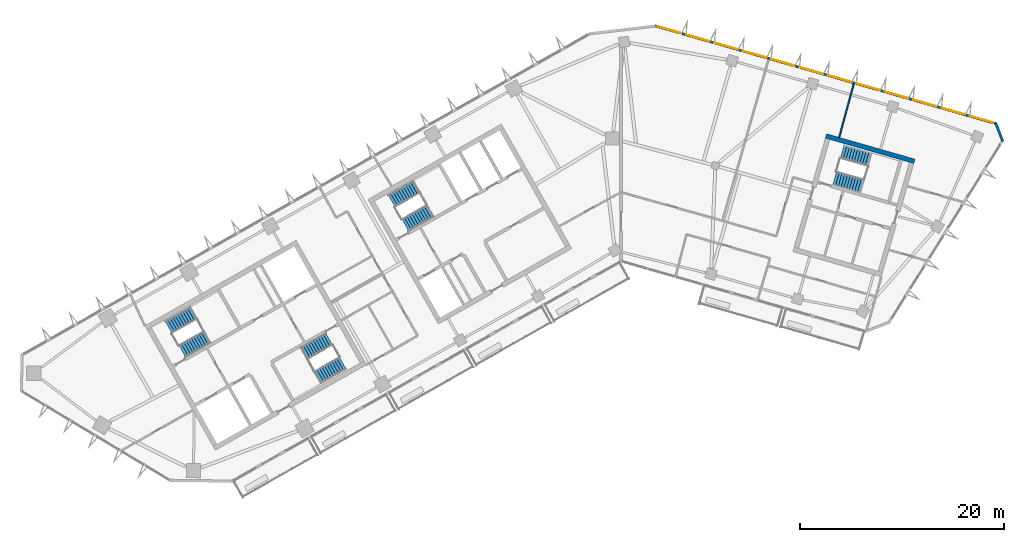
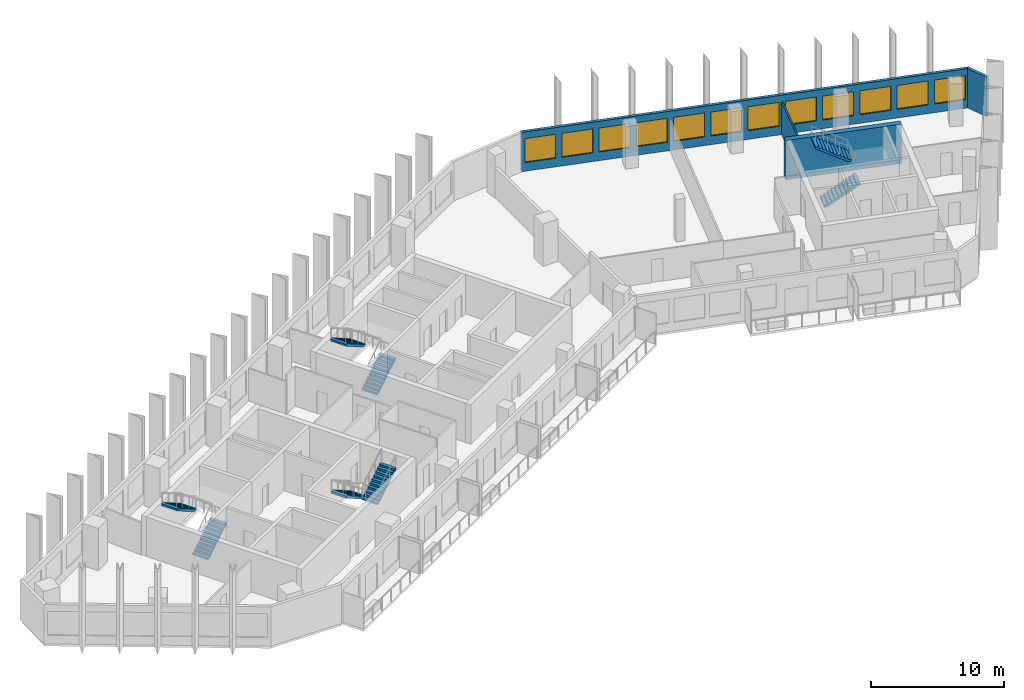
# One storey, part 8 of 11: 12 windows, 8 stair flights, 4 walls, 12 openings, 4 elements without a shape of their own.
"""IFC4 building model written with IfcOpenShell, lengths in metres."""

from ifc_helpers import new_model, si_unit, direction, frame, frame_2d, origin, place, context, subcontext, project, spatial, polyline, rectangle, outline, extrude, material, layer, layer_set, type_object, element, fill, aggregate, save


model = new_model("IFC4")

# Units and contexts
model_context = context("Model", 3, precision=1e-05, world=origin(), true_north=direction((0.0, 1.0)))
body_context = subcontext(model_context, "Body", "Model", "MODEL_VIEW")
ifc_project = project(units=[si_unit("LENGTHUNIT", "METRE"), si_unit("AREAUNIT", "SQUARE_METRE"), si_unit("VOLUMEUNIT", "CUBIC_METRE"), si_unit("PLANEANGLEUNIT", "RADIAN"), si_unit("MASSUNIT", "GRAM", prefix="KILO")], contexts=[model_context])

# Site, building, storey
site_placement = place(None, origin())
site = spatial("IfcSite", under=ifc_project, at=site_placement, CompositionType="ELEMENT")
building_placement = place(site_placement, origin())
building = spatial("IfcBuilding", under=site, at=building_placement, Name="Binnacle Exchange Tower", CompositionType="ELEMENT")
storey_placement = place(building_placement, frame((0.0, 0.0, 207.5)))
storey = spatial("IfcBuildingStorey", under=building, at=storey_placement, Name="L45", CompositionType="ELEMENT", Elevation=207.5)

# Walls
ifc_material_1 = material(Name="Concrete C70/85", Category="concrete")
ifc_layer_1 = layer(ifc_material_1, 0.449951171875)
ifc_layer_set_1 = layer_set([ifc_layer_1], Name="Core wall - outer 450")
wall_type_1 = type_object("IfcWallType", Name="Core wall - outer 450", PredefinedType="SOLIDWALL", material=ifc_layer_set_1)
wall_1_placement = place(storey_placement, frame((20.073486328125, 60.251708984375, 0.0), z_axis=(0.0, 0.0, 1.0), x_axis=(0.96126248289, -0.275634611374, 0.0)))
element("IfcWall", 1, at=wall_1_placement, inside=storey, type_object=wall_type_1, Name="Core wall CRWD6", PredefinedType="SOLIDWALL", context=body_context, shape_type="SweptSolid", body=[
    extrude(rectangle(XDim=9.0, YDim=0.449951171875, at=frame_2d((4.5, 0.0))), origin(), (0.0, 0.0, 1.0), 3.6201171875),
])
ifc_material_2 = material(Name="Bronze aluminium cladding", Category="aluminium")
ifc_layer_2 = layer(ifc_material_2, 0.25)
ifc_layer_set_2 = layer_set([ifc_layer_2], Name="External wall - window wall 250")
wall_type_2 = type_object("IfcWallType", Name="External wall - window wall 250", PredefinedType="STANDARD", material=ifc_layer_set_2)
wall_2_placement = place(storey_placement, frame((36.68994140625, 61.531005859375, 0.0), z_axis=(0.0, 0.0, 1.0), x_axis=(0.358377147136, -0.933576895821, 0.0)))
element("IfcWall", 2, at=wall_2_placement, inside=storey, type_object=wall_type_2, Name="External wall EW-G05 L45", PredefinedType="STANDARD", context=body_context, shape_type="SweptSolid", body=[
    extrude(rectangle(XDim=1.929931640625, YDim=0.25, at=frame_2d((0.96484375, 0.0))), origin(), (0.0, 0.0, 1.0), 3.6201171875),
])

# Wall, openings, windows
wall_3_placement = place(storey_placement, frame((3.34033203125, 71.042236328125, 0.0), z_axis=(0.0, 0.0, 1.0), x_axis=(0.96126179431, -0.275637012753, 0.0)))
wall_3 = element("IfcWall", 3, at=wall_3_placement, inside=storey, type_object=wall_type_2, Name="External wall EW-G06 L45", PredefinedType="STANDARD", context=body_context, shape_type="SweptSolid", body=[
    extrude(rectangle(XDim=34.779052734375, YDim=0.25, at=frame_2d((17.3896484375, 0.0))), origin(), (0.0, 0.0, 1.0), 3.6201171875),
])
opening_1_placement = place(wall_3_placement, frame((32.0712890625, 0.0, 0.800048828125)))
opening_1 = element("IfcOpeningElement", 4, at=opening_1_placement, cuts=wall_3, Name="Opening WR1", PredefinedType="OPENING", context=body_context, shape_type="SweptSolid", body=[
    extrude(rectangle(XDim=2.39990234375, YDim=2.199951171875, at=frame_2d((1.199951171875, 1.10009765625))), frame((0.0, 0.135009765625, 0.0), z_axis=(0.0, -1.0, 0.0), x_axis=(1.0, 0.0, 0.0)), (0.0, 0.0, 1.0), 0.27001953125),
])
opening_2_placement = place(wall_3_placement, frame((29.180419921875, 0.0, 0.800048828125)))
opening_2 = element("IfcOpeningElement", 5, at=opening_2_placement, cuts=wall_3, Name="Opening WR1", PredefinedType="OPENING", context=body_context, shape_type="SweptSolid", body=[
    extrude(rectangle(XDim=2.39990234375, YDim=2.199951171875, at=frame_2d((1.199951171875, 1.10009765625))), frame((0.0, 0.135009765625, 0.0), z_axis=(0.0, -1.0, 0.0), x_axis=(1.0, 0.0, 0.0)), (0.0, 0.0, 1.0), 0.27001953125),
])
opening_3_placement = place(wall_3_placement, frame((26.289306640625, 0.0, 0.800048828125)))
opening_3 = element("IfcOpeningElement", 6, at=opening_3_placement, cuts=wall_3, Name="Opening WR1", PredefinedType="OPENING", context=body_context, shape_type="SweptSolid", body=[
    extrude(rectangle(XDim=2.39990234375, YDim=2.199951171875, at=frame_2d((1.199951171875, 1.10009765625))), frame((0.0, 0.135009765625, 0.0), z_axis=(0.0, -1.0, 0.0), x_axis=(1.0, 0.0, 0.0)), (0.0, 0.0, 1.0), 0.27001953125),
])
opening_4_placement = place(wall_3_placement, frame((23.3984375, 0.0, 0.800048828125)))
opening_4 = element("IfcOpeningElement", 7, at=opening_4_placement, cuts=wall_3, Name="Opening WR1", PredefinedType="OPENING", context=body_context, shape_type="SweptSolid", body=[
    extrude(rectangle(XDim=2.39990234375, YDim=2.199951171875, at=frame_2d((1.199951171875, 1.10009765625))), frame((0.0, 0.135009765625, 0.0), z_axis=(0.0, -1.0, 0.0), x_axis=(1.0, 0.0, 0.0)), (0.0, 0.0, 1.0), 0.27001953125),
])
opening_5_placement = place(wall_3_placement, frame((20.507568359375, 0.0, 0.800048828125)))
opening_5 = element("IfcOpeningElement", 8, at=opening_5_placement, cuts=wall_3, Name="Opening WR1", PredefinedType="OPENING", context=body_context, shape_type="SweptSolid", body=[
    extrude(rectangle(XDim=2.39990234375, YDim=2.199951171875, at=frame_2d((1.199951171875, 1.10009765625))), frame((0.0, 0.135009765625, 0.0), z_axis=(0.0, -1.0, 0.0), x_axis=(1.0, 0.0, 0.0)), (0.0, 0.0, 1.0), 0.27001953125),
])
opening_6_placement = place(wall_3_placement, frame((17.616455078125, 0.0, 0.800048828125)))
opening_6 = element("IfcOpeningElement", 9, at=opening_6_placement, cuts=wall_3, Name="Opening WR1", PredefinedType="OPENING", context=body_context, shape_type="SweptSolid", body=[
    extrude(rectangle(XDim=2.39990234375, YDim=2.199951171875, at=frame_2d((1.199951171875, 1.10009765625))), frame((0.0, 0.135009765625, 0.0), z_axis=(0.0, -1.0, 0.0), x_axis=(1.0, 0.0, 0.0)), (0.0, 0.0, 1.0), 0.27001953125),
])
opening_7_placement = place(wall_3_placement, frame((14.7255859375, 0.0, 0.800048828125)))
opening_7 = element("IfcOpeningElement", 10, at=opening_7_placement, cuts=wall_3, Name="Opening WR1", PredefinedType="OPENING", context=body_context, shape_type="SweptSolid", body=[
    extrude(rectangle(XDim=2.39990234375, YDim=2.199951171875, at=frame_2d((1.199951171875, 1.10009765625))), frame((0.0, 0.135009765625, 0.0), z_axis=(0.0, -1.0, 0.0), x_axis=(1.0, 0.0, 0.0)), (0.0, 0.0, 1.0), 0.27001953125),
])
opening_8_placement = place(wall_3_placement, frame((11.83447265625, 0.0, 0.800048828125)))
opening_8 = element("IfcOpeningElement", 11, at=opening_8_placement, cuts=wall_3, Name="Opening WR1", PredefinedType="OPENING", context=body_context, shape_type="SweptSolid", body=[
    extrude(rectangle(XDim=2.39990234375, YDim=2.199951171875, at=frame_2d((1.199951171875, 1.10009765625))), frame((0.0, 0.135009765625, 0.0), z_axis=(0.0, -1.0, 0.0), x_axis=(1.0, 0.0, 0.0)), (0.0, 0.0, 1.0), 0.27001953125),
])
opening_9_placement = place(wall_3_placement, frame((8.943603515625, 0.0, 0.800048828125)))
opening_9 = element("IfcOpeningElement", 12, at=opening_9_placement, cuts=wall_3, Name="Opening WR1", PredefinedType="OPENING", context=body_context, shape_type="SweptSolid", body=[
    extrude(rectangle(XDim=2.39990234375, YDim=2.199951171875, at=frame_2d((1.199951171875, 1.10009765625))), frame((0.0, 0.135009765625, 0.0), z_axis=(0.0, -1.0, 0.0), x_axis=(1.0, 0.0, 0.0)), (0.0, 0.0, 1.0), 0.27001953125),
])
opening_10_placement = place(wall_3_placement, frame((6.052490234375, 0.0, 0.800048828125)))
opening_10 = element("IfcOpeningElement", 13, at=opening_10_placement, cuts=wall_3, Name="Opening WR1", PredefinedType="OPENING", context=body_context, shape_type="SweptSolid", body=[
    extrude(rectangle(XDim=2.39990234375, YDim=2.199951171875, at=frame_2d((1.199951171875, 1.10009765625))), frame((0.0, 0.135009765625, 0.0), z_axis=(0.0, -1.0, 0.0), x_axis=(1.0, 0.0, 0.0)), (0.0, 0.0, 1.0), 0.27001953125),
])
opening_11_placement = place(wall_3_placement, frame((3.16162109375, 0.0, 0.800048828125)))
opening_11 = element("IfcOpeningElement", 14, at=opening_11_placement, cuts=wall_3, Name="Opening WR1", PredefinedType="OPENING", context=body_context, shape_type="SweptSolid", body=[
    extrude(rectangle(XDim=2.39990234375, YDim=2.199951171875, at=frame_2d((1.199951171875, 1.10009765625))), frame((0.0, 0.135009765625, 0.0), z_axis=(0.0, -1.0, 0.0), x_axis=(1.0, 0.0, 0.0)), (0.0, 0.0, 1.0), 0.27001953125),
])
opening_12_placement = place(wall_3_placement, frame((0.2705078125, 0.0, 0.800048828125)))
opening_12 = element("IfcOpeningElement", 15, at=opening_12_placement, cuts=wall_3, Name="Opening WR1", PredefinedType="OPENING", context=body_context, shape_type="SweptSolid", body=[
    extrude(rectangle(XDim=2.39990234375, YDim=2.199951171875, at=frame_2d((1.199951171875, 1.10009765625))), frame((0.0, 0.135009765625, 0.0), z_axis=(0.0, -1.0, 0.0), x_axis=(1.0, 0.0, 0.0)), (0.0, 0.0, 1.0), 0.27001953125),
])
ifc_material_3 = material(Name="Bronze anodised aluminium frame", Category="aluminium")
window_type = type_object("IfcWindowType", Name="WR1 WINDOW 2400x2200", PartitioningType="SINGLE_PANEL", PredefinedType="WINDOW", material=ifc_material_3)
window_1_placement = place(opening_1_placement, origin())
window_1 = element("IfcWindow", 16, at=window_1_placement, inside=storey, type_object=window_type, Name="Window WR1 L45", OverallHeight=2.199951171875, OverallWidth=2.39990234375, PartitioningType="SINGLE_PANEL", PredefinedType="WINDOW", context=body_context, shape_type="SweptSolid", body=[
    extrude(rectangle(XDim=2.39990234375, YDim=2.199951171875, at=frame_2d((1.199951171875, 1.10009765625))), frame((0.0, 0.030029296875, 0.0), z_axis=(0.0, -1.0, 0.0), x_axis=(1.0, 0.0, 0.0)), (0.0, 0.0, 1.0), 0.06005859375),
])
fill(opening_1, window_1)
window_2_placement = place(opening_2_placement, origin())
window_2 = element("IfcWindow", 17, at=window_2_placement, inside=storey, type_object=window_type, Name="Window WR1 L45", OverallHeight=2.199951171875, OverallWidth=2.39990234375, PartitioningType="SINGLE_PANEL", PredefinedType="WINDOW", context=body_context, shape_type="SweptSolid", body=[
    extrude(rectangle(XDim=2.39990234375, YDim=2.199951171875, at=frame_2d((1.199951171875, 1.10009765625))), frame((0.0, 0.030029296875, 0.0), z_axis=(0.0, -1.0, 0.0), x_axis=(1.0, 0.0, 0.0)), (0.0, 0.0, 1.0), 0.06005859375),
])
fill(opening_2, window_2)
window_3_placement = place(opening_3_placement, origin())
window_3 = element("IfcWindow", 18, at=window_3_placement, inside=storey, type_object=window_type, Name="Window WR1 L45", OverallHeight=2.199951171875, OverallWidth=2.39990234375, PartitioningType="SINGLE_PANEL", PredefinedType="WINDOW", context=body_context, shape_type="SweptSolid", body=[
    extrude(rectangle(XDim=2.39990234375, YDim=2.199951171875, at=frame_2d((1.199951171875, 1.10009765625))), frame((0.0, 0.030029296875, 0.0), z_axis=(0.0, -1.0, 0.0), x_axis=(1.0, 0.0, 0.0)), (0.0, 0.0, 1.0), 0.06005859375),
])
fill(opening_3, window_3)
window_4_placement = place(opening_4_placement, origin())
window_4 = element("IfcWindow", 19, at=window_4_placement, inside=storey, type_object=window_type, Name="Window WR1 L45", OverallHeight=2.199951171875, OverallWidth=2.39990234375, PartitioningType="SINGLE_PANEL", PredefinedType="WINDOW", context=body_context, shape_type="SweptSolid", body=[
    extrude(rectangle(XDim=2.39990234375, YDim=2.199951171875, at=frame_2d((1.199951171875, 1.10009765625))), frame((0.0, 0.030029296875, 0.0), z_axis=(0.0, -1.0, 0.0), x_axis=(1.0, 0.0, 0.0)), (0.0, 0.0, 1.0), 0.06005859375),
])
fill(opening_4, window_4)
window_5_placement = place(opening_5_placement, origin())
window_5 = element("IfcWindow", 20, at=window_5_placement, inside=storey, type_object=window_type, Name="Window WR1 L45", OverallHeight=2.199951171875, OverallWidth=2.39990234375, PartitioningType="SINGLE_PANEL", PredefinedType="WINDOW", context=body_context, shape_type="SweptSolid", body=[
    extrude(rectangle(XDim=2.39990234375, YDim=2.199951171875, at=frame_2d((1.199951171875, 1.10009765625))), frame((0.0, 0.030029296875, 0.0), z_axis=(0.0, -1.0, 0.0), x_axis=(1.0, 0.0, 0.0)), (0.0, 0.0, 1.0), 0.06005859375),
])
fill(opening_5, window_5)
window_6_placement = place(opening_6_placement, origin())
window_6 = element("IfcWindow", 21, at=window_6_placement, inside=storey, type_object=window_type, Name="Window WR1 L45", OverallHeight=2.199951171875, OverallWidth=2.39990234375, PartitioningType="SINGLE_PANEL", PredefinedType="WINDOW", context=body_context, shape_type="SweptSolid", body=[
    extrude(rectangle(XDim=2.39990234375, YDim=2.199951171875, at=frame_2d((1.199951171875, 1.10009765625))), frame((0.0, 0.030029296875, 0.0), z_axis=(0.0, -1.0, 0.0), x_axis=(1.0, 0.0, 0.0)), (0.0, 0.0, 1.0), 0.06005859375),
])
fill(opening_6, window_6)
window_7_placement = place(opening_7_placement, origin())
window_7 = element("IfcWindow", 22, at=window_7_placement, inside=storey, type_object=window_type, Name="Window WR1 L45", OverallHeight=2.199951171875, OverallWidth=2.39990234375, PartitioningType="SINGLE_PANEL", PredefinedType="WINDOW", context=body_context, shape_type="SweptSolid", body=[
    extrude(rectangle(XDim=2.39990234375, YDim=2.199951171875, at=frame_2d((1.199951171875, 1.10009765625))), frame((0.0, 0.030029296875, 0.0), z_axis=(0.0, -1.0, 0.0), x_axis=(1.0, 0.0, 0.0)), (0.0, 0.0, 1.0), 0.06005859375),
])
fill(opening_7, window_7)
window_8_placement = place(opening_8_placement, origin())
window_8 = element("IfcWindow", 23, at=window_8_placement, inside=storey, type_object=window_type, Name="Window WR1 L45", OverallHeight=2.199951171875, OverallWidth=2.39990234375, PartitioningType="SINGLE_PANEL", PredefinedType="WINDOW", context=body_context, shape_type="SweptSolid", body=[
    extrude(rectangle(XDim=2.39990234375, YDim=2.199951171875, at=frame_2d((1.199951171875, 1.10009765625))), frame((0.0, 0.030029296875, 0.0), z_axis=(0.0, -1.0, 0.0), x_axis=(1.0, 0.0, 0.0)), (0.0, 0.0, 1.0), 0.06005859375),
])
fill(opening_8, window_8)
window_9_placement = place(opening_9_placement, origin())
window_9 = element("IfcWindow", 24, at=window_9_placement, inside=storey, type_object=window_type, Name="Window WR1 L45", OverallHeight=2.199951171875, OverallWidth=2.39990234375, PartitioningType="SINGLE_PANEL", PredefinedType="WINDOW", context=body_context, shape_type="SweptSolid", body=[
    extrude(rectangle(XDim=2.39990234375, YDim=2.199951171875, at=frame_2d((1.199951171875, 1.10009765625))), frame((0.0, 0.030029296875, 0.0), z_axis=(0.0, -1.0, 0.0), x_axis=(1.0, 0.0, 0.0)), (0.0, 0.0, 1.0), 0.06005859375),
])
fill(opening_9, window_9)
window_10_placement = place(opening_10_placement, origin())
window_10 = element("IfcWindow", 25, at=window_10_placement, inside=storey, type_object=window_type, Name="Window WR1 L45", OverallHeight=2.199951171875, OverallWidth=2.39990234375, PartitioningType="SINGLE_PANEL", PredefinedType="WINDOW", context=body_context, shape_type="SweptSolid", body=[
    extrude(rectangle(XDim=2.39990234375, YDim=2.199951171875, at=frame_2d((1.199951171875, 1.10009765625))), frame((0.0, 0.030029296875, 0.0), z_axis=(0.0, -1.0, 0.0), x_axis=(1.0, 0.0, 0.0)), (0.0, 0.0, 1.0), 0.06005859375),
])
fill(opening_10, window_10)
window_11_placement = place(opening_11_placement, origin())
window_11 = element("IfcWindow", 26, at=window_11_placement, inside=storey, type_object=window_type, Name="Window WR1 L45", OverallHeight=2.199951171875, OverallWidth=2.39990234375, PartitioningType="SINGLE_PANEL", PredefinedType="WINDOW", context=body_context, shape_type="SweptSolid", body=[
    extrude(rectangle(XDim=2.39990234375, YDim=2.199951171875, at=frame_2d((1.199951171875, 1.10009765625))), frame((0.0, 0.030029296875, 0.0), z_axis=(0.0, -1.0, 0.0), x_axis=(1.0, 0.0, 0.0)), (0.0, 0.0, 1.0), 0.06005859375),
])
fill(opening_11, window_11)
window_12_placement = place(opening_12_placement, origin())
window_12 = element("IfcWindow", 27, at=window_12_placement, inside=storey, type_object=window_type, Name="Window WR1 L45", OverallHeight=2.199951171875, OverallWidth=2.39990234375, PartitioningType="SINGLE_PANEL", PredefinedType="WINDOW", context=body_context, shape_type="SweptSolid", body=[
    extrude(rectangle(XDim=2.39990234375, YDim=2.199951171875, at=frame_2d((1.199951171875, 1.10009765625))), frame((0.0, 0.030029296875, 0.0), z_axis=(0.0, -1.0, 0.0), x_axis=(1.0, 0.0, 0.0)), (0.0, 0.0, 1.0), 0.06005859375),
])
fill(opening_12, window_12)

# Wall
ifc_material_4 = material(Name="Gypsum partition")
ifc_layer_3 = layer(ifc_material_4, 0.125)
ifc_layer_set_3 = layer_set([ifc_layer_3], Name="Partition 125")
wall_type_3 = type_object("IfcWallType", Name="Partition 125", PredefinedType="PARTITIONING", material=ifc_layer_set_3)
wall_4_placement = place(storey_placement, frame((21.360107421875, 60.116943359375, 0.0), z_axis=(0.0, 0.0, 1.0), x_axis=(0.263151767798, 0.964754449124, 0.0)))
element("IfcWall", 28, at=wall_4_placement, inside=storey, type_object=wall_type_3, Name="Partition W31", PredefinedType="PARTITIONING", context=body_context, shape_type="SweptSolid", body=[
    extrude(rectangle(XDim=5.41064453125, YDim=0.125, at=frame_2d((2.705322265625, 0.0))), origin(), (0.0, 0.0, 1.0), 3.0),
])

# Stair, stair flights
ifc_material_5 = material(Name="Concrete C35/45", Category="concrete")
stair_type = type_object("IfcStairType", Name="STAIR 22 RISERS 177", PredefinedType="HALF_TURN_STAIR", material=ifc_material_5)
stair_1_placement = place(storey_placement, origin())
stair_1 = element("IfcStair", 29, at=stair_1_placement, inside=storey, type_object=stair_type, Name="L45 Escape stair A1", PredefinedType="HALF_TURN_STAIR")
stair_flight_type = type_object("IfcStairFlightType", Name="STAIR FLIGHT 177X280", PredefinedType="STRAIGHT", material=ifc_material_5)
stair_flight_1_placement = place(storey_placement, frame((-42.9541015625, 39.17333984375, 0.0), z_axis=(0.0, 0.0, 1.0), x_axis=(0.870355584213, 0.492423757581, 0.0)))
stair_flight_1 = element("IfcStairFlight", 30, at=stair_flight_1_placement, type_object=stair_flight_type, Name="STA1 flight 1", NumberOfRisers=11, NumberOfTreads=10, PredefinedType="STRAIGHT", RiserHeight=0.177272727, TreadLength=0.28, context=body_context, shape_type="SweptSolid", body=[
    extrude(outline(polyline([(0.0, 0.0), (0.0, 0.17724609375), (0.280029296875, 0.17724609375), (0.280029296875, 0.3544921875), (0.56005859375, 0.3544921875), (0.56005859375, 0.53173828125), (0.840087890625, 0.53173828125), (0.840087890625, 0.708984375), (1.1201171875, 0.708984375), (1.1201171875, 0.886474609375), (1.39990234375, 0.886474609375), (1.39990234375, 1.063720703125), (1.679931640625, 1.063720703125), (1.679931640625, 1.240966796875), (1.9599609375, 1.240966796875), (1.9599609375, 1.418212890625), (2.239990234375, 1.418212890625), (2.239990234375, 1.595458984375), (2.52001953125, 1.595458984375), (2.52001953125, 1.772705078125), (2.800048828125, 1.772705078125), (2.800048828125, 1.949951171875), (2.800048828125, 1.59521484375), (0.2802734375, 0.0), (0.0, 0.0)])), frame((0.0, 0.675048828125, 0.0), z_axis=(0.0, -1.0, 0.0), x_axis=(1.0, 0.0, 0.0)), (0.0, 0.0, 1.0), 1.35009765625),
])
stair_flight_2_placement = place(storey_placement, frame((-41.846435546875, 42.902099609375, 1.949951171875), z_axis=(0.0, 0.0, 1.0), x_axis=(-0.870355584213, -0.492423757581, 0.0)))
stair_flight_2 = element("IfcStairFlight", 31, at=stair_flight_2_placement, type_object=stair_flight_type, Name="STA1 flight 2", NumberOfRisers=11, NumberOfTreads=10, PredefinedType="STRAIGHT", RiserHeight=0.177272727, TreadLength=0.28, context=body_context, shape_type="SweptSolid", body=[
    extrude(outline(polyline([(0.0, 0.0), (0.0, 0.17724609375), (0.280029296875, 0.17724609375), (0.280029296875, 0.3544921875), (0.56005859375, 0.3544921875), (0.56005859375, 0.53173828125), (0.840087890625, 0.53173828125), (0.840087890625, 0.708984375), (1.1201171875, 0.708984375), (1.1201171875, 0.886474609375), (1.39990234375, 0.886474609375), (1.39990234375, 1.063720703125), (1.679931640625, 1.063720703125), (1.679931640625, 1.240966796875), (1.9599609375, 1.240966796875), (1.9599609375, 1.418212890625), (2.239990234375, 1.418212890625), (2.239990234375, 1.595458984375), (2.52001953125, 1.595458984375), (2.52001953125, 1.772705078125), (2.800048828125, 1.772705078125), (2.800048828125, 1.949951171875), (2.800048828125, 1.59521484375), (0.2802734375, 0.0), (0.0, 0.0)])), frame((0.0, 0.675048828125, 0.0), z_axis=(0.0, -1.0, 0.0), x_axis=(1.0, 0.0, 0.0)), (0.0, 0.0, 1.0), 1.35009765625),
])
aggregate(stair_1, [stair_flight_1, stair_flight_2])

stair_2_placement = place(storey_placement, origin())
stair_2 = element("IfcStair", 32, at=stair_2_placement, inside=storey, type_object=stair_type, Name="L45 Escape stair A2", PredefinedType="HALF_TURN_STAIR")
stair_flight_3_placement = place(storey_placement, frame((-28.5732421875, 40.3583984375, 0.0), z_axis=(0.0, 0.0, 1.0), x_axis=(-0.870355584213, -0.492423757581, 0.0)))
stair_flight_3 = element("IfcStairFlight", 33, at=stair_flight_3_placement, type_object=stair_flight_type, Name="STA2 flight 1", NumberOfRisers=11, NumberOfTreads=10, PredefinedType="STRAIGHT", RiserHeight=0.177272727, TreadLength=0.28, context=body_context, shape_type="SweptSolid", body=[
    extrude(outline(polyline([(0.0, 0.0), (0.0, 0.17724609375), (0.280029296875, 0.17724609375), (0.280029296875, 0.3544921875), (0.56005859375, 0.3544921875), (0.56005859375, 0.53173828125), (0.840087890625, 0.53173828125), (0.840087890625, 0.708984375), (1.1201171875, 0.708984375), (1.1201171875, 0.886474609375), (1.39990234375, 0.886474609375), (1.39990234375, 1.063720703125), (1.679931640625, 1.063720703125), (1.679931640625, 1.240966796875), (1.9599609375, 1.240966796875), (1.9599609375, 1.418212890625), (2.239990234375, 1.418212890625), (2.239990234375, 1.595458984375), (2.52001953125, 1.595458984375), (2.52001953125, 1.772705078125), (2.800048828125, 1.772705078125), (2.800048828125, 1.949951171875), (2.800048828125, 1.59521484375), (0.2802734375, 0.0), (0.0, 0.0)])), frame((0.0, 0.675048828125, 0.0), z_axis=(0.0, -1.0, 0.0), x_axis=(1.0, 0.0, 0.0)), (0.0, 0.0, 1.0), 1.35009765625),
])
stair_flight_4_placement = place(storey_placement, frame((-29.6806640625, 36.629638671875, 1.949951171875), z_axis=(0.0, 0.0, 1.0), x_axis=(0.870355584213, 0.492423757581, 0.0)))
stair_flight_4 = element("IfcStairFlight", 34, at=stair_flight_4_placement, type_object=stair_flight_type, Name="STA2 flight 2", NumberOfRisers=11, NumberOfTreads=10, PredefinedType="STRAIGHT", RiserHeight=0.177272727, TreadLength=0.28, context=body_context, shape_type="SweptSolid", body=[
    extrude(outline(polyline([(0.0, 0.0), (0.0, 0.17724609375), (0.280029296875, 0.17724609375), (0.280029296875, 0.3544921875), (0.56005859375, 0.3544921875), (0.56005859375, 0.53173828125), (0.840087890625, 0.53173828125), (0.840087890625, 0.708984375), (1.1201171875, 0.708984375), (1.1201171875, 0.886474609375), (1.39990234375, 0.886474609375), (1.39990234375, 1.063720703125), (1.679931640625, 1.063720703125), (1.679931640625, 1.240966796875), (1.9599609375, 1.240966796875), (1.9599609375, 1.418212890625), (2.239990234375, 1.418212890625), (2.239990234375, 1.595458984375), (2.52001953125, 1.595458984375), (2.52001953125, 1.772705078125), (2.800048828125, 1.772705078125), (2.800048828125, 1.949951171875), (2.800048828125, 1.59521484375), (0.2802734375, 0.0), (0.0, 0.0)])), frame((0.0, 0.675048828125, 0.0), z_axis=(0.0, -1.0, 0.0), x_axis=(1.0, 0.0, 0.0)), (0.0, 0.0, 1.0), 1.35009765625),
])
aggregate(stair_2, [stair_flight_3, stair_flight_4])

stair_3_placement = place(storey_placement, origin())
stair_3 = element("IfcStair", 35, at=stair_3_placement, inside=storey, type_object=stair_type, Name="L45 Escape stair C1", PredefinedType="HALF_TURN_STAIR")
stair_flight_5_placement = place(storey_placement, frame((-21.115966796875, 51.528564453125, 0.0), z_axis=(0.0, 0.0, 1.0), x_axis=(0.870355584213, 0.492423757581, 0.0)))
stair_flight_5 = element("IfcStairFlight", 36, at=stair_flight_5_placement, type_object=stair_flight_type, Name="STC1 flight 1", NumberOfRisers=11, NumberOfTreads=10, PredefinedType="STRAIGHT", RiserHeight=0.177272727, TreadLength=0.28, context=body_context, shape_type="SweptSolid", body=[
    extrude(outline(polyline([(0.0, 0.0), (0.0, 0.17724609375), (0.280029296875, 0.17724609375), (0.280029296875, 0.3544921875), (0.56005859375, 0.3544921875), (0.56005859375, 0.53173828125), (0.840087890625, 0.53173828125), (0.840087890625, 0.708984375), (1.1201171875, 0.708984375), (1.1201171875, 0.886474609375), (1.39990234375, 0.886474609375), (1.39990234375, 1.063720703125), (1.679931640625, 1.063720703125), (1.679931640625, 1.240966796875), (1.9599609375, 1.240966796875), (1.9599609375, 1.418212890625), (2.239990234375, 1.418212890625), (2.239990234375, 1.595458984375), (2.52001953125, 1.595458984375), (2.52001953125, 1.772705078125), (2.800048828125, 1.772705078125), (2.800048828125, 1.949951171875), (2.800048828125, 1.59521484375), (0.2802734375, 0.0), (0.0, 0.0)])), frame((0.0, 0.675048828125, 0.0), z_axis=(0.0, -1.0, 0.0), x_axis=(1.0, 0.0, 0.0)), (0.0, 0.0, 1.0), 1.35009765625),
])
stair_flight_6_placement = place(storey_placement, frame((-20.008544921875, 55.25732421875, 1.949951171875), z_axis=(0.0, 0.0, 1.0), x_axis=(-0.870355584213, -0.492423757581, 0.0)))
stair_flight_6 = element("IfcStairFlight", 37, at=stair_flight_6_placement, type_object=stair_flight_type, Name="STC1 flight 2", NumberOfRisers=11, NumberOfTreads=10, PredefinedType="STRAIGHT", RiserHeight=0.177272727, TreadLength=0.28, context=body_context, shape_type="SweptSolid", body=[
    extrude(outline(polyline([(0.0, 0.0), (0.0, 0.17724609375), (0.280029296875, 0.17724609375), (0.280029296875, 0.3544921875), (0.56005859375, 0.3544921875), (0.56005859375, 0.53173828125), (0.840087890625, 0.53173828125), (0.840087890625, 0.708984375), (1.1201171875, 0.708984375), (1.1201171875, 0.886474609375), (1.39990234375, 0.886474609375), (1.39990234375, 1.063720703125), (1.679931640625, 1.063720703125), (1.679931640625, 1.240966796875), (1.9599609375, 1.240966796875), (1.9599609375, 1.418212890625), (2.239990234375, 1.418212890625), (2.239990234375, 1.595458984375), (2.52001953125, 1.595458984375), (2.52001953125, 1.772705078125), (2.800048828125, 1.772705078125), (2.800048828125, 1.949951171875), (2.800048828125, 1.59521484375), (0.2802734375, 0.0), (0.0, 0.0)])), frame((0.0, 0.675048828125, 0.0), z_axis=(0.0, -1.0, 0.0), x_axis=(1.0, 0.0, 0.0)), (0.0, 0.0, 1.0), 1.35009765625),
])
aggregate(stair_3, [stair_flight_5, stair_flight_6])

stair_4_placement = place(storey_placement, origin())
stair_4 = element("IfcStair", 38, at=stair_4_placement, inside=storey, type_object=stair_type, Name="L45 Escape stair D1", PredefinedType="HALF_TURN_STAIR")
stair_flight_7_placement = place(storey_placement, frame((20.914306640625, 56.109619140625, 0.0), z_axis=(0.0, 0.0, 1.0), x_axis=(0.961261811397, -0.275636953165, 0.0)))
stair_flight_7 = element("IfcStairFlight", 39, at=stair_flight_7_placement, type_object=stair_flight_type, Name="STD1 flight 1", NumberOfRisers=11, NumberOfTreads=10, PredefinedType="STRAIGHT", RiserHeight=0.177272727, TreadLength=0.28, context=body_context, shape_type="SweptSolid", body=[
    extrude(outline(polyline([(0.0, 0.0), (0.0, 0.17724609375), (0.280029296875, 0.17724609375), (0.280029296875, 0.3544921875), (0.56005859375, 0.3544921875), (0.56005859375, 0.53173828125), (0.840087890625, 0.53173828125), (0.840087890625, 0.708984375), (1.1201171875, 0.708984375), (1.1201171875, 0.886474609375), (1.39990234375, 0.886474609375), (1.39990234375, 1.063720703125), (1.679931640625, 1.063720703125), (1.679931640625, 1.240966796875), (1.9599609375, 1.240966796875), (1.9599609375, 1.418212890625), (2.239990234375, 1.418212890625), (2.239990234375, 1.595458984375), (2.52001953125, 1.595458984375), (2.52001953125, 1.772705078125), (2.800048828125, 1.772705078125), (2.800048828125, 1.949951171875), (2.800048828125, 1.59521484375), (0.2802734375, 0.0), (0.0, 0.0)])), frame((0.0, 0.675048828125, 0.0), z_axis=(0.0, -1.0, 0.0), x_axis=(1.0, 0.0, 0.0)), (0.0, 0.0, 1.0), 1.35009765625),
])
stair_flight_8_placement = place(storey_placement, frame((24.35009765625, 57.93310546875, 1.949951171875), z_axis=(0.0, 0.0, 1.0), x_axis=(-0.961261811397, 0.275636953165, 0.0)))
stair_flight_8 = element("IfcStairFlight", 40, at=stair_flight_8_placement, type_object=stair_flight_type, Name="STD1 flight 2", NumberOfRisers=11, NumberOfTreads=10, PredefinedType="STRAIGHT", RiserHeight=0.177272727, TreadLength=0.28, context=body_context, shape_type="SweptSolid", body=[
    extrude(outline(polyline([(0.0, 0.0), (0.0, 0.17724609375), (0.280029296875, 0.17724609375), (0.280029296875, 0.3544921875), (0.56005859375, 0.3544921875), (0.56005859375, 0.53173828125), (0.840087890625, 0.53173828125), (0.840087890625, 0.708984375), (1.1201171875, 0.708984375), (1.1201171875, 0.886474609375), (1.39990234375, 0.886474609375), (1.39990234375, 1.063720703125), (1.679931640625, 1.063720703125), (1.679931640625, 1.240966796875), (1.9599609375, 1.240966796875), (1.9599609375, 1.418212890625), (2.239990234375, 1.418212890625), (2.239990234375, 1.595458984375), (2.52001953125, 1.595458984375), (2.52001953125, 1.772705078125), (2.800048828125, 1.772705078125), (2.800048828125, 1.949951171875), (2.800048828125, 1.59521484375), (0.2802734375, 0.0), (0.0, 0.0)])), frame((0.0, 0.675048828125, 0.0), z_axis=(0.0, -1.0, 0.0), x_axis=(1.0, 0.0, 0.0)), (0.0, 0.0, 1.0), 1.35009765625),
])
aggregate(stair_4, [stair_flight_7, stair_flight_8])

save(model, "model.ifc")
